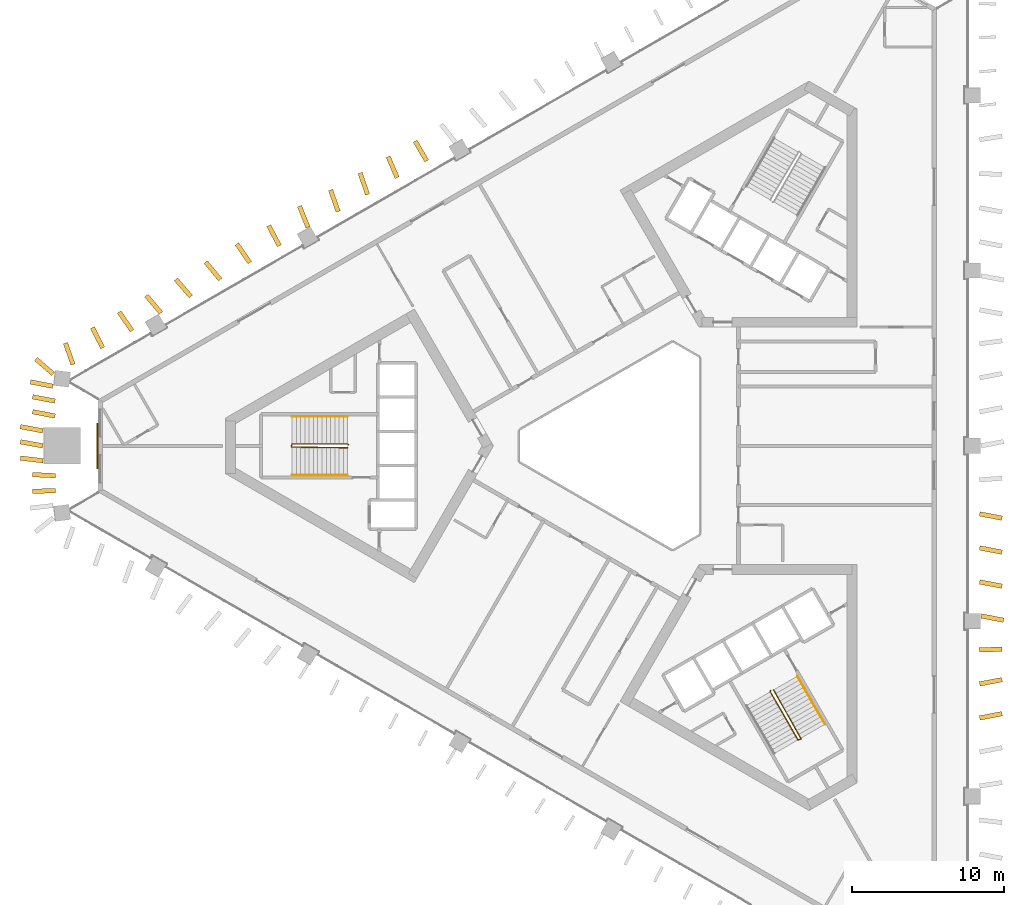
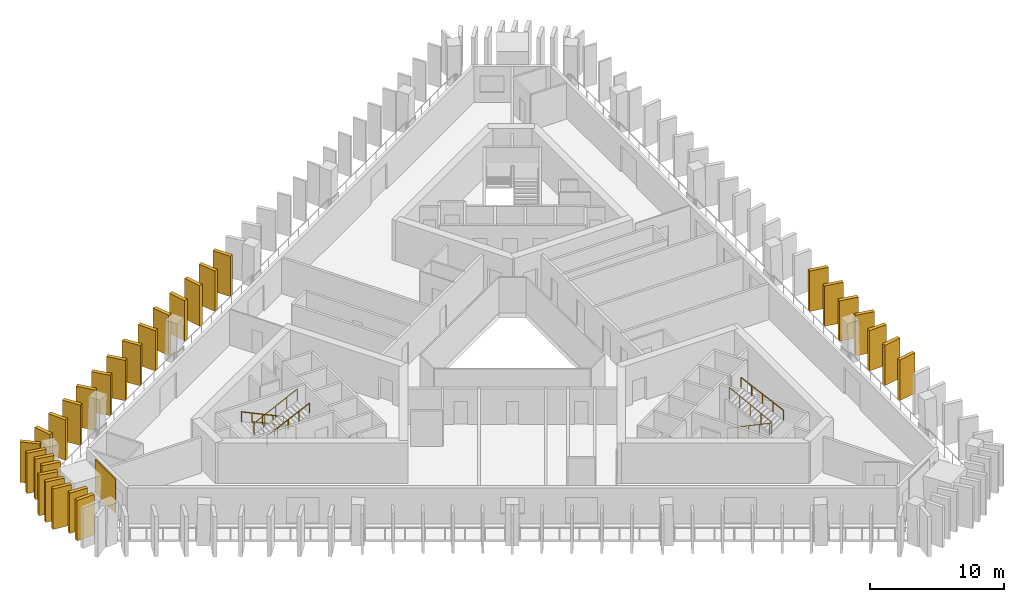
# One storey, part 8 of 10: 29 shading devices, 5 railings, 1 covering.
"""IFC4 building model written with IfcOpenShell, lengths in metres."""

from ifc_helpers import new_model, si_unit, direction, frame, frame_2d, origin, origin_2d, place, context, subcontext, project, spatial, rectangle, circle, extrude, material, layer, layer_set, type_object, element, save


model = new_model("IFC4")

# Units and contexts
model_context = context("Model", 3, precision=1e-05, world=origin(), true_north=direction((0.0, 1.0)))
body_context = subcontext(model_context, "Body", "Model", "MODEL_VIEW")
ifc_project = project(units=[si_unit("LENGTHUNIT", "METRE"), si_unit("AREAUNIT", "SQUARE_METRE"), si_unit("VOLUMEUNIT", "CUBIC_METRE"), si_unit("PLANEANGLEUNIT", "RADIAN"), si_unit("MASSUNIT", "GRAM", prefix="KILO")], contexts=[model_context])

# Site, building, storey
site_placement = place(None, origin())
site = spatial("IfcSite", under=ifc_project, at=site_placement, CompositionType="ELEMENT")
building_placement = place(site_placement, origin())
building = spatial("IfcBuilding", under=site, at=building_placement, Name="Jabali Bay Hotel Tower and Convention Centre", CompositionType="ELEMENT")
storey_placement = place(building_placement, frame((0.0, 0.0, 106.800048828125)))
storey = spatial("IfcBuildingStorey", under=building, at=storey_placement, Name="L25", CompositionType="ELEMENT", Elevation=106.800048828125)

# Shading devices
ifc_material_1 = material(Name="Precast concrete C60", Category="concrete")
ifc_layer_1 = layer(ifc_material_1, 0.300048828125)
ifc_layer_set_1 = layer_set([ifc_layer_1], Name="Precast concrete C60")
shading_device_type = type_object("IfcShadingDeviceType", Name="Precast fin 3680 x 1500", PredefinedType="USERDEFINED", material=ifc_layer_set_1)
for number, where, z_axis, x_axis, name in (
    (1, (97.927734375, 62.1298828125, 0.010009765625), (0.0, 0.0, 1.0), (0.98216862344, 0.188002114696, 0.0), "Fin L25 005"),
    (2, (97.927734375, 64.36376953125, 0.010009765625), (0.0, 0.0, 1.0), (0.98216862344, 0.188002114696, 0.0), "Fin L25 006"),
    (3, (97.90478515625, 66.597412109375, 0.010009765625), (0.0, 0.0, 1.0), (0.999398825292, 0.034669698662, 0.0), "Fin L25 007"),
    (4, (98.027587890625, 68.831298828125, 0.010009765625), (0.0, 0.0, 1.0), (0.982138555923, -0.188159126723, 0.0), "Fin L25 008"),
    (5, (97.927734375, 71.06494140625, 0.010009765625), (0.0, 0.0, 1.0), (0.98216862344, -0.188002114696, 0.0), "Fin L25 009"),
    (6, (97.927734375, 73.298828125, 0.010009765625), (0.0, 0.0, 1.0), (0.982138555923, -0.188159126723, 0.0), "Fin L25 010"),
    (7, (97.927734375, 75.532470703125, 0.010009765625), (0.0, 0.0, 1.0), (0.98216862344, -0.188002114696, 0.0), "Fin L25 011"),
    (8, (61.615234375, 98.715576171875, 0.010009765625), (0.0, 0.0, 1.0), (-0.506045287456, 0.862506908404, 0.0), "Fin L25 050"),
    (9, (59.67236328125, 97.61328125, 0.010009765625), (0.0, 0.0, 1.0), (-0.392229392408, 0.91986743813, 0.0), "Fin L25 051"),
    (10, (57.732666015625, 96.50537109375, 0.010009765625), (0.0, 0.0, 1.0), (-0.328312279036, 0.94456923909, 0.0), "Fin L25 052"),
    (11, (55.798095703125, 95.388427734375, 0.010009765625), (0.0, 0.0, 1.0), (-0.328116586135, 0.944637235082, 0.0), "Fin L25 053"),
):
    element("IfcShadingDevice", number, at=place(storey_placement, frame(where, z_axis=z_axis, x_axis=x_axis)), inside=storey, type_object=shading_device_type, Name=name, ObjectType="FIN", PredefinedType="USERDEFINED", context=body_context, shape_type="SweptSolid", body=[
        extrude(rectangle(XDim=1.5, YDim=0.300048828125, at=frame_2d((0.75, 0.0))), origin(), (0.0, 0.0, 1.0), 3.679931640625),
    ])
shading_device_1_placement = place(storey_placement, frame((53.817138671875, 94.352294921875, 0.010009765625), z_axis=(0.0, 0.0, 1.0), x_axis=(-0.370239967724, 0.92893614759, 0.0)))
element("IfcShadingDevice", 12, at=shading_device_1_placement, inside=storey, type_object=shading_device_type, Name="Fin L25 054", ObjectType="FIN", PredefinedType="USERDEFINED", context=body_context, shape_type="SweptSolid", body=[
    extrude(rectangle(XDim=1.500244140625, YDim=0.300048828125, at=frame_2d((0.75, 0.0))), origin(), (0.0, 0.0, 1.0), 3.679931640625),
])
shading_device_2_placement = place(storey_placement, frame((51.9404296875, 93.13525390625, 0.010009765625), z_axis=(0.0, 0.0, 1.0), x_axis=(-0.466511050787, 0.884515369846, 0.0)))
element("IfcShadingDevice", 13, at=shading_device_2_placement, inside=storey, type_object=shading_device_type, Name="Fin L25 055", ObjectType="FIN", PredefinedType="USERDEFINED", context=body_context, shape_type="SweptSolid", body=[
    extrude(rectangle(XDim=1.499755859375, YDim=0.300048828125, at=frame_2d((0.75, 0.0))), origin(), (0.0, 0.0, 1.0), 3.679931640625),
])
shading_device_3_placement = place(storey_placement, frame((50.0029296875, 92.023681640625, 0.010009765625), z_axis=(0.0, 0.0, 1.0), x_axis=(-0.567329762235, 0.823490704794, 0.0)))
element("IfcShadingDevice", 14, at=shading_device_3_placement, inside=storey, type_object=shading_device_type, Name="Fin L25 056", ObjectType="FIN", PredefinedType="USERDEFINED", context=body_context, shape_type="SweptSolid", body=[
    extrude(rectangle(XDim=1.500244140625, YDim=0.300048828125, at=frame_2d((0.75, 0.0))), origin(), (0.0, 0.0, 1.0), 3.679931640625),
])
shading_device_4_placement = place(storey_placement, frame((48.061279296875, 90.9189453125, 0.010009765625), z_axis=(0.0, 0.0, 1.0), x_axis=(-0.641656196669, 0.766992389321, 0.0)))
element("IfcShadingDevice", 15, at=shading_device_4_placement, inside=storey, type_object=shading_device_type, Name="Fin L25 057", ObjectType="FIN", PredefinedType="USERDEFINED", context=body_context, shape_type="SweptSolid", body=[
    extrude(rectangle(XDim=1.499755859375, YDim=0.300048828125, at=frame_2d((0.75, 0.0))), origin(), (0.0, 0.0, 1.0), 3.679931640625),
])
shading_device_5_placement = place(storey_placement, frame((46.125732421875, 89.803955078125, 0.010009765625), z_axis=(0.0, 0.0, 1.0), x_axis=(-0.653895235714, 0.756585104737, 0.0)))
element("IfcShadingDevice", 16, at=shading_device_5_placement, inside=storey, type_object=shading_device_type, Name="Fin L25 058", ObjectType="FIN", PredefinedType="USERDEFINED", context=body_context, shape_type="SweptSolid", body=[
    extrude(rectangle(XDim=1.500244140625, YDim=0.300048828125, at=frame_2d((0.75, 0.0))), origin(), (0.0, 0.0, 1.0), 3.679931640625),
])
for number, where, z_axis, x_axis, name in (
    (17, (44.1689453125, 88.725830078125, 0.010009765625), (0.0, 0.0, 1.0), (-0.645548138355, 0.763719582744, 0.0), "Fin L25 059"),
    (18, (42.264892578125, 87.55615234375, 0.010009765625), (0.0, 0.0, 1.0), (-0.566736034649, 0.82389942774, 0.0), "Fin L25 060"),
    (19, (40.33203125, 86.4365234375, 0.010009765625), (0.0, 0.0, 1.0), (-0.449230739965, 0.893415772343, 0.0), "Fin L25 061"),
):
    element("IfcShadingDevice", number, at=place(storey_placement, frame(where, z_axis=z_axis, x_axis=x_axis)), inside=storey, type_object=shading_device_type, Name=name, ObjectType="FIN", PredefinedType="USERDEFINED", context=body_context, shape_type="SweptSolid", body=[
        extrude(rectangle(XDim=1.5, YDim=0.300048828125, at=frame_2d((0.75, 0.0))), origin(), (0.0, 0.0, 1.0), 3.679931640625),
    ])
shading_device_6_placement = place(storey_placement, frame((38.387939453125, 85.3359375, 0.010009765625), z_axis=(0.0, 0.0, 1.0), x_axis=(-0.332002755198, 0.943278416238, 0.0)))
element("IfcShadingDevice", 20, at=shading_device_6_placement, inside=storey, type_object=shading_device_type, Name="Fin L25 062", ObjectType="FIN", PredefinedType="USERDEFINED", context=body_context, shape_type="SweptSolid", body=[
    extrude(rectangle(XDim=1.500244140625, YDim=0.300048828125, at=frame_2d((0.75, 0.0))), origin(), (0.0, 0.0, 1.0), 3.679931640625),
])
for number, where, z_axis, x_axis, name in (
    (21, (37.062744140625, 83.91748046875, 0.010009765625), (0.0, 0.0, 1.0), (-0.982138555923, 0.188159126723, 0.0), "Fin L25 063"),
    (22, (37.206298828125, 82.938232421875, 0.010009765625), (0.0, 0.0, 1.0), (-0.98216862344, 0.188002114696, 0.0), "Fin L25 064"),
    (23, (37.206298828125, 81.958740234375, 0.010009765625), (0.0, 0.0, 1.0), (-0.98216862344, 0.188002114696, 0.0), "Fin L25 065"),
):
    element("IfcShadingDevice", number, at=place(storey_placement, frame(where, z_axis=z_axis, x_axis=x_axis)), inside=storey, type_object=shading_device_type, Name=name, ObjectType="FIN", PredefinedType="USERDEFINED", context=body_context, shape_type="SweptSolid", body=[
        extrude(rectangle(XDim=1.5, YDim=0.300048828125, at=frame_2d((0.75, 0.0))), origin(), (0.0, 0.0, 1.0), 3.679931640625),
    ])
shading_device_7_placement = place(storey_placement, frame((36.4072265625, 80.9794921875, 0.010009765625), z_axis=(0.0, 0.0, 1.0), x_axis=(-0.982174375218, 0.187972063525, 0.0)))
element("IfcShadingDevice", 24, at=shading_device_7_placement, inside=storey, type_object=shading_device_type, Name="Fin L25 066", ObjectType="FIN", PredefinedType="USERDEFINED", context=body_context, shape_type="SweptSolid", body=[
    extrude(rectangle(XDim=1.500244140625, YDim=0.300048828125, at=frame_2d((0.75, 0.0))), origin(), (0.0, 0.0, 1.0), 3.679931640625),
])
shading_device_8_placement = place(storey_placement, frame((36.40869140625, 80.0, 0.010009765625), z_axis=(0.0, 0.0, 1.0), x_axis=(-0.983992068521, 0.178212258523, 0.0)))
element("IfcShadingDevice", 25, at=shading_device_8_placement, inside=storey, type_object=shading_device_type, Name="Fin L25 067", ObjectType="FIN", PredefinedType="USERDEFINED", context=body_context, shape_type="SweptSolid", body=[
    extrude(rectangle(XDim=1.5, YDim=0.300048828125, at=frame_2d((0.75, 0.0))), origin(), (0.0, 0.0, 1.0), 3.679931640625),
])
shading_device_9_placement = place(storey_placement, frame((36.41748046875, 79.0205078125, 0.010009765625), z_axis=(0.0, 0.0, 1.0), x_axis=(-0.992953655907, 0.118503321557, 0.0)))
element("IfcShadingDevice", 26, at=shading_device_9_placement, inside=storey, type_object=shading_device_type, Name="Fin L25 068", ObjectType="FIN", PredefinedType="USERDEFINED", context=body_context, shape_type="SweptSolid", body=[
    extrude(rectangle(XDim=1.499755859375, YDim=0.300048828125, at=frame_2d((0.75, 0.0))), origin(), (0.0, 0.0, 1.0), 3.679931640625),
])
for number, where, z_axis, x_axis, name in (
    (27, (37.2275390625, 78.041259765625, 0.010009765625), (0.0, 0.0, 1.0), (-0.998930951077, 0.046227210381, 0.0), "Fin L25 069"),
    (28, (37.229736328125, 77.061767578125, 0.010009765625), (0.0, 0.0, 1.0), (-0.99945408109, -0.033038459284, 0.0), "Fin L25 070"),
):
    element("IfcShadingDevice", number, at=place(storey_placement, frame(where, z_axis=z_axis, x_axis=x_axis)), inside=storey, type_object=shading_device_type, Name=name, ObjectType="FIN", PredefinedType="USERDEFINED", context=body_context, shape_type="SweptSolid", body=[
        extrude(rectangle(XDim=1.5, YDim=0.300048828125, at=frame_2d((0.75, 0.0))), origin(), (0.0, 0.0, 1.0), 3.679931640625),
    ])
shading_device_10_placement = place(storey_placement, frame((37.084228515625, 84.72509765625, 0.010009765625), z_axis=(0.0, 0.0, 1.0), x_axis=(-0.756596034973, 0.653882588745, 0.0)))
element("IfcShadingDevice", 29, at=shading_device_10_placement, inside=storey, type_object=shading_device_type, Name="Fin L25 111", ObjectType="FIN", PredefinedType="USERDEFINED", context=body_context, shape_type="SweptSolid", body=[
    extrude(rectangle(XDim=1.499755859375, YDim=0.300048828125, at=frame_2d((0.75, 0.0))), origin(), (0.0, 0.0, 1.0), 3.679931640625),
])

# Covering
ifc_material_2 = material(Name="Precast concrete C40/50", Category="concrete")
ifc_layer_2 = layer(ifc_material_2, 0.080078125)
ifc_layer_set_2 = layer_set([ifc_layer_2], Name="Precast concrete C40/50")
covering_type = type_object("IfcCoveringType", Name="Relief panel 3000 x 3050", PredefinedType="CLADDING", material=ifc_layer_set_2)
covering_placement = place(storey_placement, frame((39.99462890625, 80.0, 0.10009765625), z_axis=(0.0, 0.0, 1.0), x_axis=(0.0, 1.0, 0.0)))
element("IfcCovering", 30, at=covering_placement, inside=storey, type_object=covering_type, Name="Relief panel L25", PredefinedType="CLADDING", context=body_context, shape_type="SweptSolid", body=[
    extrude(rectangle(XDim=3.0, YDim=0.080078125, at=origin_2d()), origin(), (0.0, 0.0, 1.0), 3.050048828125),
])

# Railings
ifc_material_3 = material(Name="Steel Q355B", Category="steel")
railing_type_1 = type_object("IfcRailingType", Name="Stair guard 1100", PredefinedType="GUARDRAIL", material=ifc_material_3)
railing_1_placement = place(storey_placement, frame((56.469970703125, 80.074951171875, 0.0)))
element("IfcRailing", 31, at=railing_1_placement, inside=storey, type_object=railing_type_1, Name="L25 ST1 stair guard 1", PredefinedType="GUARDRAIL", context=body_context, shape_type="SweptSolid", body=[
    extrude(circle(Radius=0.02392578125, at=origin_2d()), frame((0.0, 0.0, 1.076171875), z_axis=(-0.333993628408, 0.333993628408, 0.881417331555), x_axis=(-0.707106781187, -0.707106781187, 0.0)), (0.0, 0.0, 1.0), 0.14990234375),
    extrude(circle(Radius=0.02392578125, at=origin_2d()), frame((-0.050048828125, 0.050048828125, 1.2080078125), z_axis=(-0.904350763662, 0.0, 0.426789990819), x_axis=(0.0, -1.0, 0.0)), (0.0, 0.0, 1.0), 4.02490234375),
    extrude(circle(Radius=0.02392578125, at=origin_2d()), frame((-3.68994140625, 0.050048828125, 2.92578125), z_axis=(-0.242814311512, -0.970072785993, 0.0), x_axis=(0.970072785993, -0.242814311512, 0.0)), (0.0, 0.0, 1.0), 0.2060546875),
    extrude(circle(Radius=0.02392578125, at=origin_2d()), frame((-3.739990234375, -0.14990234375, 2.92578125), z_axis=(0.893864111827, -0.012124000458, 0.448174026692), x_axis=(0.013562335953, 0.999908027292, 0.0)), (0.0, 0.0, 1.0), 4.128173828125),
    extrude(circle(Radius=0.02099609375, at=origin_2d()), origin(), (0.0, 0.0, 1.0), 1.052001953125),
    extrude(circle(Radius=0.02099609375, at=origin_2d()), frame((-0.050048828125, 0.050048828125, 0.132080078125)), (0.0, 0.0, 1.0), 1.052001953125),
    extrude(circle(Radius=0.02099609375, at=origin_2d()), frame((-0.9599609375, 0.050048828125, 0.5615234375)), (0.0, 0.0, 1.0), 1.052001953125),
    extrude(circle(Radius=0.02099609375, at=origin_2d()), frame((-1.8701171875, 0.050048828125, 0.990966796875)), (0.0, 0.0, 1.0), 1.052001953125),
    extrude(circle(Radius=0.02099609375, at=origin_2d()), frame((-2.780029296875, 0.050048828125, 1.42041015625)), (0.0, 0.0, 1.0), 1.052001953125),
    extrude(circle(Radius=0.02099609375, at=origin_2d()), frame((-3.68994140625, 0.050048828125, 1.849853515625)), (0.0, 0.0, 1.0), 1.052001953125),
    extrude(circle(Radius=0.02099609375, at=origin_2d()), frame((-3.739990234375, -0.14990234375, 1.849853515625)), (0.0, 0.0, 1.0), 1.052001953125),
    extrude(circle(Radius=0.02099609375, at=origin_2d()), frame((-2.8173828125, -0.162353515625, 2.3125)), (0.0, 0.0, 1.0), 1.052001953125),
    extrude(circle(Radius=0.02099609375, at=origin_2d()), frame((-1.89501953125, -0.1748046875, 2.77490234375)), (0.0, 0.0, 1.0), 1.052001953125),
    extrude(circle(Radius=0.02099609375, at=origin_2d()), frame((-0.97265625, -0.1875, 3.2373046875)), (0.0, 0.0, 1.0), 1.052001953125),
    extrude(circle(Radius=0.02099609375, at=origin_2d()), frame((-0.050048828125, -0.199951171875, 3.699951171875)), (0.0, 0.0, 1.0), 1.052001953125),
])
railing_2_placement = place(storey_placement, frame((84.199951171875, 63.9150390625, 0.0)))
element("IfcRailing", 32, at=railing_2_placement, inside=storey, type_object=railing_type_1, Name="L25 ST3 stair guard 1", PredefinedType="GUARDRAIL", context=body_context, shape_type="SweptSolid", body=[
    extrude(circle(Radius=0.02392578125, at=origin_2d()), frame((0.0, 0.0, 1.076171875), z_axis=(-0.122196845461, -0.456201556387, 0.881446578591), x_axis=(0.965948051503, -0.258736085224, 0.0)), (0.0, 0.0, 1.0), 0.14990234375),
    extrude(circle(Radius=0.02392578125, at=origin_2d()), frame((-0.018310546875, -0.068359375, 1.2080078125), z_axis=(0.452190331055, -0.783190014029, 0.426775475427), x_axis=(0.866018046521, 0.500012742938, 0.0)), (0.0, 0.0, 1.0), 4.02490234375),
    extrude(circle(Radius=0.02392578125, at=origin_2d()), frame((1.8017578125, -3.220703125, 2.92578125), z_axis=(0.96121063429, 0.275815366736, 0.0), x_axis=(-0.275815366736, 0.96121063429, 0.0)), (0.0, 0.0, 1.0), 0.206298828125),
    extrude(circle(Radius=0.02392578125, at=origin_2d()), frame((2.0, -3.163818359375, 2.92578125), z_axis=(-0.436470229993, 0.780146179382, 0.448180406895), x_axis=(-0.872702246529, -0.488252792008, 0.0)), (0.0, 0.0, 1.0), 4.1279296875),
    extrude(circle(Radius=0.02099609375, at=origin_2d()), origin(), (0.0, 0.0, 1.0), 1.052001953125),
    extrude(circle(Radius=0.02099609375, at=origin_2d()), frame((-0.018310546875, -0.068359375, 0.132080078125)), (0.0, 0.0, 1.0), 1.052001953125),
    extrude(circle(Radius=0.02099609375, at=origin_2d()), frame((0.436767578125, -0.8564453125, 0.5615234375)), (0.0, 0.0, 1.0), 1.052001953125),
    extrude(circle(Radius=0.02099609375, at=origin_2d()), frame((0.8916015625, -1.64453125, 0.990966796875)), (0.0, 0.0, 1.0), 1.052001953125),
    extrude(circle(Radius=0.02099609375, at=origin_2d()), frame((1.3466796875, -2.4326171875, 1.42041015625)), (0.0, 0.0, 1.0), 1.052001953125),
    extrude(circle(Radius=0.02099609375, at=origin_2d()), frame((1.8017578125, -3.220703125, 1.849853515625)), (0.0, 0.0, 1.0), 1.052001953125),
    extrude(circle(Radius=0.02099609375, at=origin_2d()), frame((2.0, -3.163818359375, 1.849853515625)), (0.0, 0.0, 1.0), 1.052001953125),
    extrude(circle(Radius=0.02099609375, at=origin_2d()), frame((1.549560546875, -2.358642578125, 2.3125)), (0.0, 0.0, 1.0), 1.052001953125),
    extrude(circle(Radius=0.02099609375, at=origin_2d()), frame((1.09912109375, -1.5537109375, 2.77490234375)), (0.0, 0.0, 1.0), 1.052001953125),
    extrude(circle(Radius=0.02099609375, at=origin_2d()), frame((0.648681640625, -0.74853515625, 3.2373046875)), (0.0, 0.0, 1.0), 1.052001953125),
    extrude(circle(Radius=0.02099609375, at=origin_2d()), frame((0.1982421875, 0.056640625, 3.699951171875)), (0.0, 0.0, 1.0), 1.052001953125),
])
railing_type_2 = type_object("IfcRailingType", Name="Stair handrail 900", PredefinedType="HANDRAIL", material=ifc_material_3)
railing_3_placement = place(storey_placement, frame((56.419921875, 81.925048828125, 0.132080078125)))
element("IfcRailing", 33, at=railing_3_placement, inside=storey, type_object=railing_type_2, Name="L25 ST1 stair handrail 1", PredefinedType="HANDRAIL", context=body_context, shape_type="SweptSolid", body=[
    extrude(circle(Radius=0.02392578125, at=origin_2d()), frame((0.0, 0.0, 0.8759765625), z_axis=(-0.904350763662, 0.0, 0.426789990819), x_axis=(0.0, -1.0, 0.0)), (0.0, 0.0, 1.0), 4.02490234375),
    extrude(circle(Radius=0.02099609375, at=origin_2d()), origin(), (0.0, 0.0, 1.0), 0.851806640625),
    extrude(circle(Radius=0.02099609375, at=origin_2d()), frame((-0.909912109375, 0.0, 0.429443359375)), (0.0, 0.0, 1.0), 0.851806640625),
    extrude(circle(Radius=0.02099609375, at=origin_2d()), frame((-1.81982421875, 0.0, 0.85888671875)), (0.0, 0.0, 1.0), 0.851806640625),
    extrude(circle(Radius=0.02099609375, at=origin_2d()), frame((-2.72998046875, 0.0, 1.288330078125)), (0.0, 0.0, 1.0), 0.851806640625),
    extrude(circle(Radius=0.02099609375, at=origin_2d()), frame((-3.639892578125, 0.0, 1.7177734375)), (0.0, 0.0, 1.0), 0.851806640625),
])
railing_4_placement = place(storey_placement, frame((52.780029296875, 78.074951171875, 1.982177734375)))
element("IfcRailing", 34, at=railing_4_placement, inside=storey, type_object=railing_type_2, Name="L25 ST1 stair handrail 2", PredefinedType="HANDRAIL", context=body_context, shape_type="SweptSolid", body=[
    extrude(circle(Radius=0.02392578125, at=origin_2d()), frame((0.0, 0.0, 0.8759765625), z_axis=(0.904350763662, 0.0, 0.426789990819), x_axis=(0.0, 1.0, 0.0)), (0.0, 0.0, 1.0), 4.02490234375),
    extrude(circle(Radius=0.02099609375, at=origin_2d()), origin(), (0.0, 0.0, 1.0), 0.851806640625),
    extrude(circle(Radius=0.02099609375, at=origin_2d()), frame((0.909912109375, 0.0, 0.429443359375)), (0.0, 0.0, 1.0), 0.851806640625),
    extrude(circle(Radius=0.02099609375, at=origin_2d()), frame((1.81982421875, 0.0, 0.85888671875)), (0.0, 0.0, 1.0), 0.851806640625),
    extrude(circle(Radius=0.02099609375, at=origin_2d()), frame((2.72998046875, 0.0, 1.288330078125)), (0.0, 0.0, 1.0), 0.851806640625),
    extrude(circle(Radius=0.02099609375, at=origin_2d()), frame((3.639892578125, 0.0, 1.7177734375)), (0.0, 0.0, 1.0), 0.851806640625),
])
railing_5_placement = place(storey_placement, frame((87.777099609375, 61.719482421875, 1.982177734375)))
element("IfcRailing", 35, at=railing_5_placement, inside=storey, type_object=railing_type_2, Name="L25 ST3 stair handrail 2", PredefinedType="HANDRAIL", context=body_context, shape_type="SweptSolid", body=[
    extrude(circle(Radius=0.02392578125, at=origin_2d()), frame((0.0, 0.0, 0.8759765625), z_axis=(-0.452190331055, 0.783190014029, 0.426775475427), x_axis=(-0.866018046521, -0.500012742938, 0.0)), (0.0, 0.0, 1.0), 4.02490234375),
    extrude(circle(Radius=0.02099609375, at=origin_2d()), origin(), (0.0, 0.0, 1.0), 0.851806640625),
    extrude(circle(Radius=0.02099609375, at=origin_2d()), frame((-0.455078125, 0.7880859375, 0.429443359375)), (0.0, 0.0, 1.0), 0.851806640625),
    extrude(circle(Radius=0.02099609375, at=origin_2d()), frame((-0.91015625, 1.576171875, 0.85888671875)), (0.0, 0.0, 1.0), 0.851806640625),
    extrude(circle(Radius=0.02099609375, at=origin_2d()), frame((-1.364990234375, 2.3642578125, 1.288330078125)), (0.0, 0.0, 1.0), 0.851806640625),
    extrude(circle(Radius=0.02099609375, at=origin_2d()), frame((-1.820068359375, 3.15234375, 1.7177734375)), (0.0, 0.0, 1.0), 0.851806640625),
])

save(model, "model.ifc")
